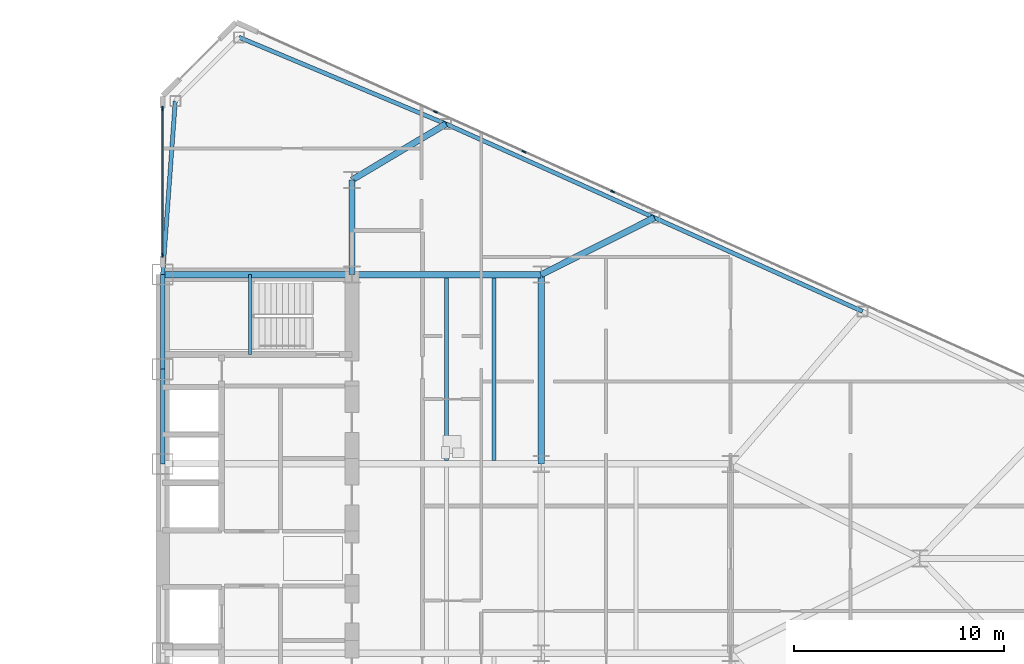
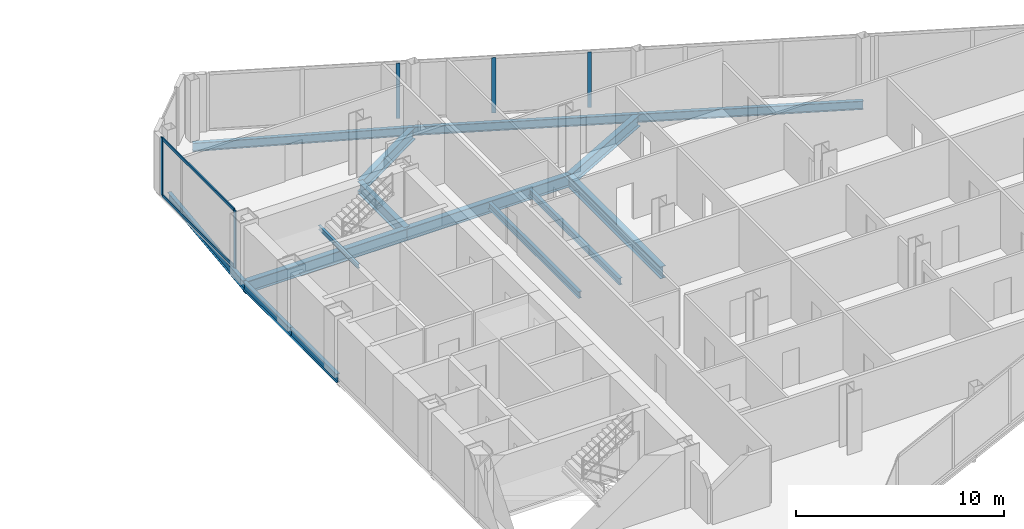
# One storey, part 13 of 27: 15 beams, 7 members, 2 elements without a shape of their own.
"""IFC4 building model written with IfcOpenShell, lengths in metres."""

from ifc_helpers import new_model, si_unit, direction, frame, origin, origin_2d, place, context, subcontext, project, spatial, rectangle, i_section, extrude, source, transform, mapped, material, layer, layer_set, material_profile, profile_set, type_object, type_shapes, element, aggregate, save


model = new_model("IFC4")

# Units and contexts
model_context = context("Model", 3, precision=1e-05, world=origin(), true_north=direction((0.0, 1.0)))
body_context = subcontext(model_context, "Body", "Model", "MODEL_VIEW")
ifc_project = project(units=[si_unit("LENGTHUNIT", "METRE"), si_unit("AREAUNIT", "SQUARE_METRE"), si_unit("VOLUMEUNIT", "CUBIC_METRE"), si_unit("PLANEANGLEUNIT", "RADIAN"), si_unit("MASSUNIT", "GRAM", prefix="KILO")], contexts=[model_context])

# Site, building, storey
site_placement = place(None, origin())
site = spatial("IfcSite", under=ifc_project, at=site_placement, CompositionType="ELEMENT")
building_placement = place(site_placement, origin())
building = spatial("IfcBuilding", under=site, at=building_placement, Name="Seokmaru Belvedere", CompositionType="ELEMENT")
storey_placement = place(building_placement, frame((0.0, 0.0, 96.0)))
storey = spatial("IfcBuildingStorey", under=building, at=storey_placement, Name="L25", CompositionType="ELEMENT", Elevation=96.0)

# Beams
ifc_material_1 = material(Name="Steel SM355 (355 MPa)", Category="steel")
ifc_material_profile_1 = material_profile(ifc_material_1, i_section(OverallWidth=0.199951171875, OverallDepth=0.5, WebThickness=0.010009765625, FlangeThickness=0.01611328125, at=origin_2d()), Name="H-500x200x10x16")
ifc_profile_set_1 = profile_set([ifc_material_profile_1], Name="Steel SM355 (355 MPa)")
beam_type_1 = type_object("IfcBeamType", Name="Perimeter Spandrel Beam H-500", PredefinedType="SPANDREL", material=ifc_profile_set_1)
shared_shape_1 = source(origin(), body_context, "Body", "SweptSolid", [
    extrude(i_section(OverallWidth=0.199951171875, OverallDepth=0.5, WebThickness=0.010009765625, FlangeThickness=0.01611328125, at=origin_2d()), origin(), (0.0, 0.0, 1.0), 4.5),
])
for number, where, z_axis, x_axis, name in (
    (1, (27.5, 4.5, -0.469970703125), (0.0, 1.0, 0.0), (-1.0, 0.0, 0.0), "L25 E Portal Spine Spandrel 4"),
    (2, (27.5, 9.0, -0.469970703125), (0.0, 1.0, 0.0), (-1.0, 0.0, 0.0), "L25 E Portal Spine Spandrel 5"),
):
    element("IfcBeam", number, at=place(storey_placement, frame(where, z_axis=z_axis, x_axis=x_axis)), inside=storey, type_object=beam_type_1, Name=name, PredefinedType="SPANDREL", context=body_context, shape_type="MappedRepresentation", body=[
        mapped(shared_shape_1, transform((0.0, 0.0, 0.0), scale=1.0)),
    ])
ifc_material_profile_2 = material_profile(ifc_material_1, i_section(OverallWidth=0.300048828125, OverallDepth=0.699951171875, WebThickness=0.012939453125, FlangeThickness=0.02392578125, at=origin_2d()), Name="H-700x300x13x24")
ifc_profile_set_2 = profile_set([ifc_material_profile_2], Name="Steel SM355 (355 MPa)")
beam_type_2 = type_object("IfcBeamType", Name="Primary Floor Girder H-700", PredefinedType="BEAM", material=ifc_profile_set_2)
shared_shape_2 = source(origin(), body_context, "Body", "SweptSolid", [
    extrude(i_section(OverallWidth=0.300048828125, OverallDepth=0.699951171875, WebThickness=0.012939453125, FlangeThickness=0.02392578125, at=origin_2d()), origin(), (0.0, 0.0, 1.0), 4.5),
])
beam_1_placement = place(storey_placement, frame((36.5, 13.5, -0.570068359375), z_axis=(0.0, 1.0, 0.0), x_axis=(-1.0, 0.0, 0.0)))
element("IfcBeam", 3, at=beam_1_placement, inside=storey, type_object=beam_type_2, Name="L25 E Core Shoulder Girder N", PredefinedType="BEAM", context=body_context, shape_type="MappedRepresentation", body=[
    mapped(shared_shape_2, transform((0.0, 0.0, 0.0), scale=1.0)),
])
shared_shape_3 = source(origin(), body_context, "Body", "SweptSolid", [
    extrude(i_section(OverallWidth=0.300048828125, OverallDepth=0.699951171875, WebThickness=0.012939453125, FlangeThickness=0.02392578125, at=origin_2d()), origin(), (0.0, 0.0, 1.0), 9.0),
])
for number, where, z_axis, x_axis, name in (
    (4, (45.5, 4.5, -0.570068359375), (0.0, 1.0, 0.0), (-1.0, 0.0, 0.0), "L25 E Interior Grid Girder 3"),
    (5, (27.5, 13.5, -0.570068359375), (1.0, 0.0, 0.0), (0.0, 1.0, 0.0), "L25 E Core Tie Girder 4"),
    (6, (36.5, 13.5, -0.570068359375), (1.0, 0.0, 0.0), (0.0, 1.0, 0.0), "L25 E Wing Primary Girder 4"),
):
    element("IfcBeam", number, at=place(storey_placement, frame(where, z_axis=z_axis, x_axis=x_axis)), inside=storey, type_object=beam_type_2, Name=name, PredefinedType="BEAM", context=body_context, shape_type="MappedRepresentation", body=[
        mapped(shared_shape_3, transform((0.0, 0.0, 0.0), scale=1.0)),
    ])
ifc_material_profile_3 = material_profile(ifc_material_1, i_section(OverallWidth=0.18505859375, OverallDepth=0.389892578125, WebThickness=0.008056640625, FlangeThickness=0.011962890625, at=origin_2d()), Name="H-390x185x8x12")
ifc_profile_set_3 = profile_set([ifc_material_profile_3], Name="Steel SM355 (355 MPa)")
beam_type_3 = type_object("IfcBeamType", Name="Secondary Floor Joist H-350", PredefinedType="JOIST", material=ifc_profile_set_3)
shared_shape_4 = source(origin(), body_context, "Body", "SweptSolid", [
    extrude(i_section(OverallWidth=0.18505859375, OverallDepth=0.389892578125, WebThickness=0.008056640625, FlangeThickness=0.011962890625, at=origin_2d()), origin(), (0.0, 0.0, 1.0), 8.68994140625),
])
type_shapes(beam_type_3, [shared_shape_4])
for number, where, z_axis, x_axis, name in (
    (7, (43.25, 4.655029296875, -0.4150390625), (0.0, 1.0, 0.0), (-1.0, 0.0, 0.0), "L25 E Wing Inner Secondary Joist 2"),
    (8, (41.0, 4.655029296875, -0.4150390625), (0.0, 1.0, 0.0), (-1.0, 0.0, 0.0), "L25 E Secondary Floor Joist 3"),
):
    element("IfcBeam", number, at=place(storey_placement, frame(where, z_axis=z_axis, x_axis=x_axis)), inside=storey, type_object=beam_type_3, Name=name, PredefinedType="JOIST", context=body_context, shape_type="MappedRepresentation", body=[
        mapped(shared_shape_4, transform((0.0, 0.0, 0.0), scale=1.0)),
    ])
shared_shape_5 = source(origin(), body_context, "Body", "SweptSolid", [
    extrude(i_section(OverallWidth=0.199951171875, OverallDepth=0.5, WebThickness=0.010009765625, FlangeThickness=0.01611328125, at=origin_2d()), origin(), (0.0, 0.0, 1.0), 10.66943359375),
])
beam_2_placement = place(storey_placement, frame((31.13134765625, 24.782958984375, -0.469970703125), z_axis=(0.922375393128, -0.386294750355, 0.0), x_axis=(0.386294750355, 0.922375393128, 0.0)))
element("IfcBeam", 9, at=beam_2_placement, inside=storey, type_object=beam_type_1, Name="L25 E Faceted Flank Spandrel N-1", PredefinedType="SPANDREL", context=body_context, shape_type="MappedRepresentation", body=[
    mapped(shared_shape_5, transform((0.0, 0.0, 0.0), scale=1.0)),
])
shared_shape_6 = source(origin(), body_context, "Body", "SweptSolid", [
    extrude(i_section(OverallWidth=0.199951171875, OverallDepth=0.5, WebThickness=0.010009765625, FlangeThickness=0.01611328125, at=origin_2d()), origin(), (0.0, 0.0, 1.0), 10.85888671875),
])
for number, where, z_axis, x_axis, name in (
    (10, (40.97265625, 20.661376953125, -0.469970703125), (0.911921505175, -0.410364677329, 0.0), (0.410364677329, 0.911921505175, 0.0), "L25 E Faceted Flank Spandrel N-2"),
    (11, (50.875, 16.205322265625, -0.469970703125), (0.911925291223, -0.410356263785, 0.0), (0.410356263785, 0.911925291223, 0.0), "L25 E Faceted Flank Spandrel N-3"),
):
    element("IfcBeam", number, at=place(storey_placement, frame(where, z_axis=z_axis, x_axis=x_axis)), inside=storey, type_object=beam_type_1, Name=name, PredefinedType="SPANDREL", context=body_context, shape_type="MappedRepresentation", body=[
        mapped(shared_shape_6, transform((0.0, 0.0, 0.0), scale=1.0)),
    ])
shared_shape_7 = source(origin(), body_context, "Body", "SweptSolid", [
    extrude(i_section(OverallWidth=0.199951171875, OverallDepth=0.5, WebThickness=0.010009765625, FlangeThickness=0.01611328125, at=origin_2d()), origin(), (0.0, 0.0, 1.0), 8.273193359375),
])
type_shapes(beam_type_1, [shared_shape_1, shared_shape_5, shared_shape_6, shared_shape_7])
beam_3_placement = place(storey_placement, frame((28.10009765625, 21.75146484375, -0.469970703125), z_axis=(-0.072534628348, -0.99736589459, 0.0), x_axis=(0.99736589459, -0.072534628348, 0.0)))
element("IfcBeam", 12, at=beam_3_placement, inside=storey, type_object=beam_type_1, Name="L25 E Shoulder Spine Spandrel N", PredefinedType="SPANDREL", context=body_context, shape_type="MappedRepresentation", body=[
    mapped(shared_shape_7, transform((0.0, 0.0, 0.0), scale=1.0)),
])
shared_shape_8 = source(origin(), body_context, "Body", "SweptSolid", [
    extrude(i_section(OverallWidth=0.300048828125, OverallDepth=0.699951171875, WebThickness=0.012939453125, FlangeThickness=0.02392578125, at=origin_2d()), origin(), (0.0, 0.0, 1.0), 5.20458984375),
])
beam_4_placement = place(storey_placement, frame((40.97265625, 20.661376953125, -0.570068359375), z_axis=(-0.859370434188, -0.511353553662, 0.0), x_axis=(0.511353553662, -0.859370434188, 0.0)))
element("IfcBeam", 13, at=beam_4_placement, inside=storey, type_object=beam_type_2, Name="L25 E Flank Radial Floor Girder N-1", PredefinedType="BEAM", context=body_context, shape_type="MappedRepresentation", body=[
    mapped(shared_shape_8, transform((0.0, 0.0, 0.0), scale=1.0)),
])
shared_shape_9 = source(origin(), body_context, "Body", "SweptSolid", [
    extrude(i_section(OverallWidth=0.300048828125, OverallDepth=0.699951171875, WebThickness=0.012939453125, FlangeThickness=0.02392578125, at=origin_2d()), origin(), (0.0, 0.0, 1.0), 6.017333984375),
])
type_shapes(beam_type_2, [shared_shape_2, shared_shape_3, shared_shape_8, shared_shape_9])
beam_5_placement = place(storey_placement, frame((50.875, 16.205322265625, -0.570068359375), z_axis=(-0.893239341975, -0.449581447512, 0.0), x_axis=(0.449581447512, -0.893239341975, 0.0)))
element("IfcBeam", 14, at=beam_5_placement, inside=storey, type_object=beam_type_2, Name="L25 E Flank Radial Floor Girder N-2", PredefinedType="BEAM", context=body_context, shape_type="MappedRepresentation", body=[
    mapped(shared_shape_9, transform((0.0, 0.0, 0.0), scale=1.0)),
])

# Curtain wall, members
ifc_material_2 = material(Name="Bronze Triple Insulating Glass", Category="glass")
ifc_layer = layer(ifc_material_2, 0.195068359375)
ifc_layer_set = layer_set([ifc_layer], Name="Bronze Triple Insulating Glass")
curtain_wall_type = type_object("IfcCurtainWallType", Name="Lower-Mid Tapered Curtain Wall System CW-3", PredefinedType="NOTDEFINED", material=ifc_layer_set)
curtain_wall_1_placement = place(storey_placement, origin())
curtain_wall_1 = element("IfcCurtainWall", 15, at=curtain_wall_1_placement, inside=storey, type_object=curtain_wall_type, Name="L25 Curtain Wall ESP_2", PredefinedType="NOTDEFINED")
ifc_material_3 = material(Name="Anodised Bronze Aluminium", Category="aluminium")
ifc_material_profile_4 = material_profile(ifc_material_3, rectangle(XDim=0.070068359375, YDim=0.195068359375, at=origin_2d()), Name="CW-M-70x195")
ifc_profile_set_4 = profile_set([ifc_material_profile_4], Name="Anodised Bronze Aluminium")
member_type_1 = type_object("IfcMemberType", Name="Bronze Unitised Mullion 70x195", PredefinedType="MULLION", material=ifc_profile_set_4)
shared_shape_10 = source(origin(), body_context, "Body", "SweptSolid", [
    extrude(rectangle(XDim=0.070068359375, YDim=0.195068359375, at=origin_2d()), origin(), (0.0, 0.0, 1.0), 3.3798828125),
])
member_1_placement = place(storey_placement, frame((27.5, 21.39501953125, 0.0), z_axis=(0.0, 0.0, 1.0), x_axis=(1.0, 0.0, 0.0)))
member_1 = element("IfcMember", 16, at=member_1_placement, type_object=member_type_1, Name="CW:L25:ESP_2 Mullion 1", PredefinedType="MULLION", context=body_context, shape_type="MappedRepresentation", body=[
    mapped(shared_shape_10, transform((0.0, 0.0, 0.0), scale=1.0)),
])
member_2_placement = place(storey_placement, frame((27.5, 14.4150390625, 0.0), z_axis=(0.0, 0.0, 1.0), x_axis=(1.0, 0.0, 0.0)))
member_2 = element("IfcMember", 17, at=member_2_placement, type_object=member_type_1, Name="CW:L25:ESP_2 Mullion 2", PredefinedType="MULLION", context=body_context, shape_type="MappedRepresentation", body=[
    mapped(shared_shape_10, transform((0.0, 0.0, 0.0), scale=1.0)),
])
ifc_material_profile_5 = material_profile(ifc_material_3, rectangle(XDim=0.070068359375, YDim=0.1650390625, at=origin_2d()), Name="CW-T-70x165")
ifc_profile_set_5 = profile_set([ifc_material_profile_5], Name="Anodised Bronze Aluminium")
member_type_2 = type_object("IfcMemberType", Name="Bronze Unitised Transom 70x165", PredefinedType="USERDEFINED", material=ifc_profile_set_5)
shared_shape_11 = source(origin(), body_context, "Body", "SweptSolid", [
    extrude(rectangle(XDim=0.070068359375, YDim=0.1650390625, at=origin_2d()), origin(), (0.0, 0.0, 1.0), 6.91015625),
])
type_shapes(member_type_2, [shared_shape_11])
member_3_placement = place(storey_placement, frame((27.5, 21.360107421875, 0.034912109375), z_axis=(0.0, -1.0, 0.0), x_axis=(1.0, 0.0, 0.0)))
member_3 = element("IfcMember", 18, at=member_3_placement, type_object=member_type_2, Name="CW:L25:ESP_2 Continuous Transom 1", ObjectType="TRANSOM", PredefinedType="USERDEFINED", context=body_context, shape_type="MappedRepresentation", body=[
    mapped(shared_shape_11, transform((0.0, 0.0, 0.0), scale=1.0)),
])
member_4_placement = place(storey_placement, frame((27.5, 21.360107421875, 3.344970703125), z_axis=(0.0, -1.0, 0.0), x_axis=(1.0, 0.0, 0.0)))
member_4 = element("IfcMember", 19, at=member_4_placement, type_object=member_type_2, Name="CW:L25:ESP_2 Continuous Transom 2", ObjectType="TRANSOM", PredefinedType="USERDEFINED", context=body_context, shape_type="MappedRepresentation", body=[
    mapped(shared_shape_11, transform((0.0, 0.0, 0.0), scale=1.0)),
])
aggregate(curtain_wall_1, [member_1, member_2, member_3, member_4])

curtain_wall_2_placement = place(storey_placement, origin())
curtain_wall_2 = element("IfcCurtainWall", 20, at=curtain_wall_2_placement, inside=storey, type_object=curtain_wall_type, Name="L25 Curtain Wall EF3", PredefinedType="NOTDEFINED")
shared_shape_12 = source(origin(), body_context, "Body", "SweptSolid", [
    extrude(rectangle(XDim=0.070068359375, YDim=0.195068359375, at=origin_2d()), origin(), (0.0, 0.0, 1.0), 3.239990234375),
])
type_shapes(member_type_1, [shared_shape_10, shared_shape_12])
member_5_placement = place(storey_placement, frame((48.894287109375, 17.447509765625, 0.070068359375), z_axis=(0.0, 0.0, 1.0), x_axis=(-0.41036554765, -0.91192111353, 0.0)))
member_5 = element("IfcMember", 21, at=member_5_placement, type_object=member_type_1, Name="CW:L25:EF3 Mullion 6", PredefinedType="MULLION", context=body_context, shape_type="MappedRepresentation", body=[
    mapped(shared_shape_12, transform((0.0, 0.0, 0.0), scale=1.0)),
])
member_6_placement = place(storey_placement, frame((44.682861328125, 19.3427734375, 0.070068359375), z_axis=(0.0, 0.0, 1.0), x_axis=(-0.41036554765, -0.91192111353, 0.0)))
member_6 = element("IfcMember", 22, at=member_6_placement, type_object=member_type_1, Name="CW:L25:EF3 Mullion 7", PredefinedType="MULLION", context=body_context, shape_type="MappedRepresentation", body=[
    mapped(shared_shape_12, transform((0.0, 0.0, 0.0), scale=1.0)),
])
member_7_placement = place(storey_placement, frame((40.471435546875, 21.23779296875, 0.070068359375), z_axis=(0.0, 0.0, 1.0), x_axis=(-0.41036554765, -0.91192111353, 0.0)))
member_7 = element("IfcMember", 23, at=member_7_placement, type_object=member_type_1, Name="CW:L25:EF3 Mullion 8", PredefinedType="MULLION", context=body_context, shape_type="MappedRepresentation", body=[
    mapped(shared_shape_12, transform((0.0, 0.0, 0.0), scale=1.0)),
])
aggregate(curtain_wall_2, [member_5, member_6, member_7])

# Beam
ifc_material_profile_6 = material_profile(ifc_material_1, i_section(OverallWidth=0.125, OverallDepth=0.25, WebThickness=0.006103515625, FlangeThickness=0.009033203125, at=origin_2d()), Name="H-250x125x6x9")
ifc_profile_set_6 = profile_set([ifc_material_profile_6], Name="Steel SM355 (355 MPa)")
beam_type_4 = type_object("IfcBeamType", Name="Stair Mid-Landing Support Beam H-250", PredefinedType="JOIST", material=ifc_profile_set_6)
shared_shape_13 = source(origin(), body_context, "Body", "SweptSolid", [
    extrude(i_section(OverallWidth=0.125, OverallDepth=0.25, WebThickness=0.006103515625, FlangeThickness=0.009033203125, at=origin_2d()), origin(), (0.0, 0.0, 1.0), 3.800048828125),
])
type_shapes(beam_type_4, [shared_shape_13])
beam_6_placement = place(storey_placement, frame((31.64990234375, 9.699951171875, 1.47509765625), z_axis=(0.0, 1.0, 0.0), x_axis=(-1.0, 0.0, 0.0)))
element("IfcBeam", 24, at=beam_6_placement, inside=storey, type_object=beam_type_4, Name="L25 Stair ST-E2 Mid-Landing Support Beam 1", PredefinedType="JOIST", context=body_context, shape_type="MappedRepresentation", body=[
    mapped(shared_shape_13, transform((0.0, 0.0, 0.0), scale=1.0)),
])

save(model, "model.ifc")
